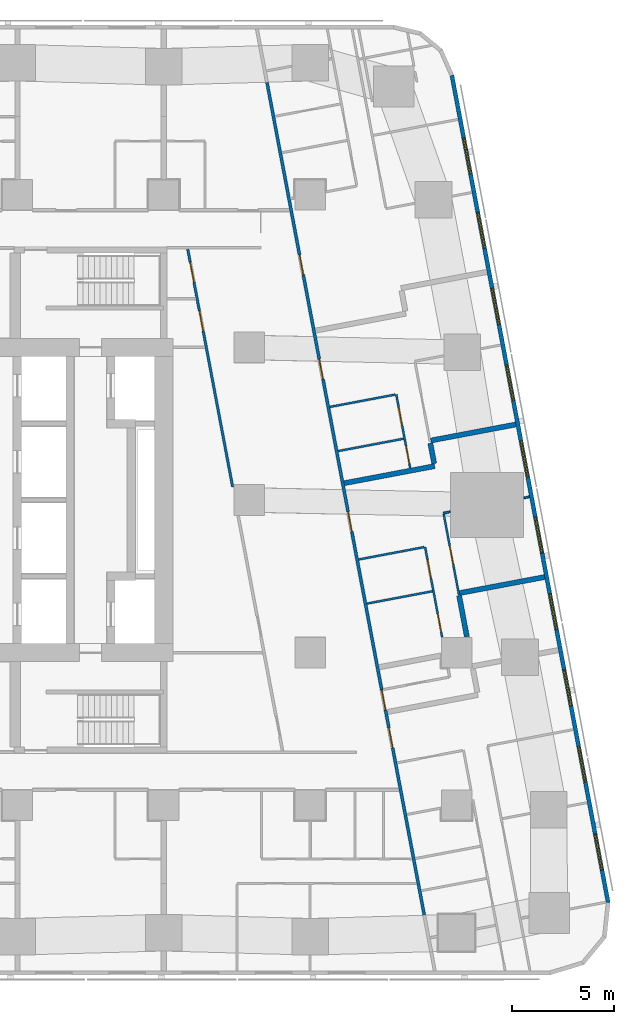
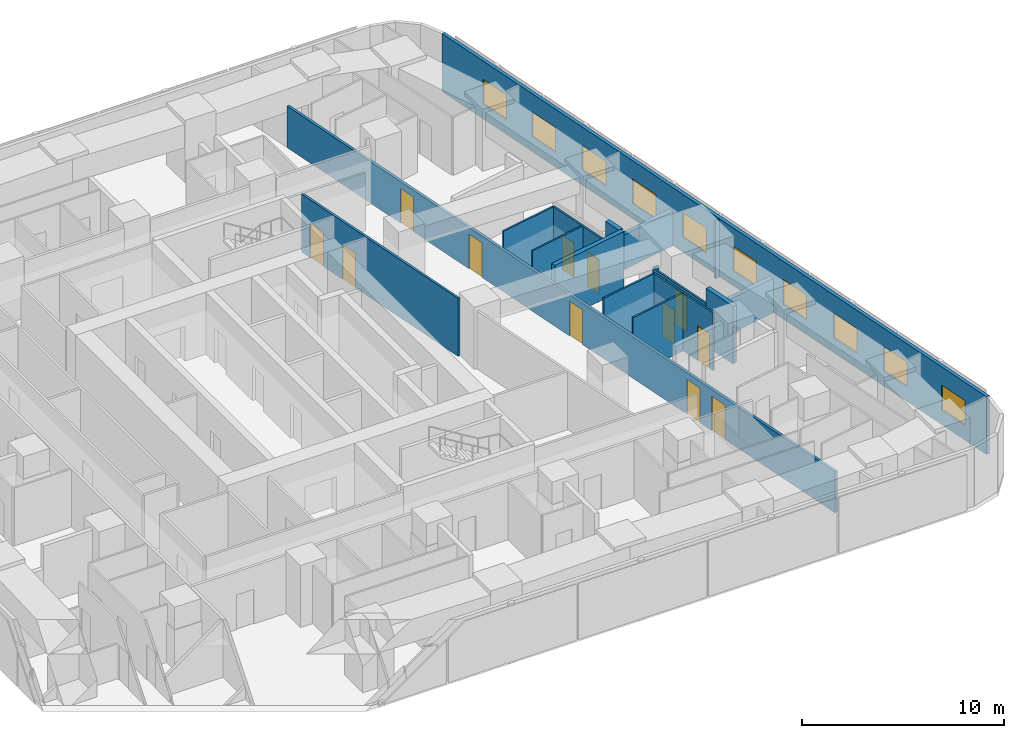
# One storey, part 7 of 15: 17 walls, 12 doors, 10 windows, 22 openings.
"""IFC4 building model written with IfcOpenShell, lengths in metres."""

from ifc_helpers import new_model, si_unit, direction, frame, frame_2d, origin, place, context, subcontext, project, spatial, rectangle, extrude, material, layer, layer_set, type_object, element, fill, save


model = new_model("IFC4")

# Units and contexts
model_context = context("Model", 3, precision=1e-05, world=origin(), true_north=direction((0.0, 1.0)))
body_context = subcontext(model_context, "Body", "Model", "MODEL_VIEW")
ifc_project = project(units=[si_unit("LENGTHUNIT", "METRE"), si_unit("AREAUNIT", "SQUARE_METRE"), si_unit("VOLUMEUNIT", "CUBIC_METRE"), si_unit("PLANEANGLEUNIT", "RADIAN"), si_unit("MASSUNIT", "GRAM", prefix="KILO")], contexts=[model_context])

# Site, building, storey
site_placement = place(None, origin())
site = spatial("IfcSite", under=ifc_project, at=site_placement, CompositionType="ELEMENT")
building_placement = place(site_placement, origin())
building = spatial("IfcBuilding", under=site, at=building_placement, Name="Sheger Commons Tower", CompositionType="ELEMENT")
storey_placement = place(building_placement, frame((0.0, 0.0, 177.050048828125)))
storey = spatial("IfcBuildingStorey", under=building, at=storey_placement, Name="L45", CompositionType="ELEMENT", Elevation=177.050048828125)

# Wall, openings, doors
ifc_material_1 = material(Name="Hollow concrete block masonry, skimmed both sides", Category="masonry")
ifc_layer_1 = layer(ifc_material_1, 0.14990234375)
ifc_layer_set_1 = layer_set([ifc_layer_1], Name="CORRIDOR WALL 150")
wall_type_1 = type_object("IfcWallType", Name="CORRIDOR WALL 150", PredefinedType="SOLIDWALL", material=ifc_layer_set_1)
wall_1_placement = place(storey_placement, frame((33.876953125, 43.029052734375, 0.0), z_axis=(0.0, 0.0, 1.0), x_axis=(0.185596841028, -0.98262597798, 0.0)))
wall_1 = element("IfcWall", 1, at=wall_1_placement, inside=storey, type_object=wall_type_1, Name="Corridor wall L45", PredefinedType="SOLIDWALL", context=body_context, shape_type="SweptSolid", body=[
    extrude(rectangle(XDim=41.659912109375, YDim=0.14990234375, at=frame_2d((20.830078125, 0.0))), origin(), (0.0, 0.0, 1.0), 2.5),
])
opening_1_placement = place(wall_1_placement, frame((8.6298828125, 0.0, 0.0)))
opening_1 = element("IfcOpeningElement", 2, at=opening_1_placement, cuts=wall_1, Name="Opening D1", PredefinedType="OPENING", context=body_context, shape_type="SweptSolid", body=[
    extrude(rectangle(XDim=1.0, YDim=2.10009765625, at=frame_2d((0.5, 1.050048828125))), frame((0.0, 0.0849609375, 0.0), z_axis=(0.0, -1.0, 0.0), x_axis=(1.0, 0.0, 0.0)), (0.0, 0.0, 1.0), 0.169921875),
])
opening_2_placement = place(wall_1_placement, frame((13.841064453125, 0.0, 0.0)))
opening_2 = element("IfcOpeningElement", 3, at=opening_2_placement, cuts=wall_1, Name="Opening D1", PredefinedType="OPENING", context=body_context, shape_type="SweptSolid", body=[
    extrude(rectangle(XDim=1.0, YDim=2.10009765625, at=frame_2d((0.5, 1.050048828125))), frame((0.0, 0.0849609375, 0.0), z_axis=(0.0, -1.0, 0.0), x_axis=(1.0, 0.0, 0.0)), (0.0, 0.0, 1.0), 0.169921875),
])
opening_3_placement = place(wall_1_placement, frame((21.47412109375, 0.0, 0.0)))
opening_3 = element("IfcOpeningElement", 4, at=opening_3_placement, cuts=wall_1, Name="Opening D1", PredefinedType="OPENING", context=body_context, shape_type="SweptSolid", body=[
    extrude(rectangle(XDim=1.0, YDim=2.10009765625, at=frame_2d((0.5, 1.050048828125))), frame((0.0, 0.0849609375, 0.0), z_axis=(0.0, -1.0, 0.0), x_axis=(1.0, 0.0, 0.0)), (0.0, 0.0, 1.0), 0.169921875),
])
opening_4_placement = place(wall_1_placement, frame((30.39990234375, 0.0, 0.0)))
opening_4 = element("IfcOpeningElement", 5, at=opening_4_placement, cuts=wall_1, Name="Opening D1", PredefinedType="OPENING", context=body_context, shape_type="SweptSolid", body=[
    extrude(rectangle(XDim=1.0, YDim=2.10009765625, at=frame_2d((0.5, 1.050048828125))), frame((0.0, 0.0849609375, 0.0), z_axis=(0.0, -1.0, 0.0), x_axis=(1.0, 0.0, 0.0)), (0.0, 0.0, 1.0), 0.169921875),
])
opening_5_placement = place(wall_1_placement, frame((32.2880859375, 0.0, 0.0)))
opening_5 = element("IfcOpeningElement", 6, at=opening_5_placement, cuts=wall_1, Name="Opening D1", PredefinedType="OPENING", context=body_context, shape_type="SweptSolid", body=[
    extrude(rectangle(XDim=1.0, YDim=2.10009765625, at=frame_2d((0.5, 1.050048828125))), frame((0.0, 0.0849609375, 0.0), z_axis=(0.0, -1.0, 0.0), x_axis=(1.0, 0.0, 0.0)), (0.0, 0.0, 1.0), 0.169921875),
])
ifc_material_2 = material(Name="Steel door set, fire rated", Category="steel")
door_type_1 = type_object("IfcDoorType", Name="FLAT ENTRANCE DOOR 1000x2100", OperationType="NOTDEFINED", PredefinedType="DOOR", material=ifc_material_2)
door_1_placement = place(opening_1_placement, origin())
door_1 = element("IfcDoor", 7, at=door_1_placement, inside=storey, type_object=door_type_1, Name="Flat entrance door", OperationType="SINGLE_SWING_RIGHT", OverallHeight=2.10009765625, OverallWidth=1.0, PredefinedType="DOOR", context=body_context, shape_type="SweptSolid", body=[
    extrude(rectangle(XDim=1.0, YDim=2.10009765625, at=frame_2d((0.5, 1.050048828125))), frame((0.0, 0.02490234375, 0.0), z_axis=(0.0, -1.0, 0.0), x_axis=(1.0, 0.0, 0.0)), (0.0, 0.0, 1.0), 0.050048828125),
])
fill(opening_1, door_1)
door_2_placement = place(opening_2_placement, origin())
door_2 = element("IfcDoor", 8, at=door_2_placement, inside=storey, type_object=door_type_1, Name="Flat entrance door", OperationType="SINGLE_SWING_LEFT", OverallHeight=2.10009765625, OverallWidth=1.0, PredefinedType="DOOR", context=body_context, shape_type="SweptSolid", body=[
    extrude(rectangle(XDim=1.0, YDim=2.10009765625, at=frame_2d((0.5, 1.050048828125))), frame((0.0, 0.02490234375, 0.0), z_axis=(0.0, -1.0, 0.0), x_axis=(1.0, 0.0, 0.0)), (0.0, 0.0, 1.0), 0.050048828125),
])
fill(opening_2, door_2)
door_3_placement = place(opening_3_placement, origin())
door_3 = element("IfcDoor", 9, at=door_3_placement, inside=storey, type_object=door_type_1, Name="Flat entrance door", OperationType="SINGLE_SWING_LEFT", OverallHeight=2.10009765625, OverallWidth=1.0, PredefinedType="DOOR", context=body_context, shape_type="SweptSolid", body=[
    extrude(rectangle(XDim=1.0, YDim=2.10009765625, at=frame_2d((0.5, 1.050048828125))), frame((0.0, 0.02490234375, 0.0), z_axis=(0.0, -1.0, 0.0), x_axis=(1.0, 0.0, 0.0)), (0.0, 0.0, 1.0), 0.050048828125),
])
fill(opening_3, door_3)
door_4_placement = place(opening_4_placement, origin())
door_4 = element("IfcDoor", 10, at=door_4_placement, inside=storey, type_object=door_type_1, Name="Flat entrance door", OperationType="SINGLE_SWING_LEFT", OverallHeight=2.10009765625, OverallWidth=1.0, PredefinedType="DOOR", context=body_context, shape_type="SweptSolid", body=[
    extrude(rectangle(XDim=1.0, YDim=2.10009765625, at=frame_2d((0.5, 1.050048828125))), frame((0.0, 0.02490234375, 0.0), z_axis=(0.0, -1.0, 0.0), x_axis=(1.0, 0.0, 0.0)), (0.0, 0.0, 1.0), 0.050048828125),
])
fill(opening_4, door_4)
door_5_placement = place(opening_5_placement, origin())
door_5 = element("IfcDoor", 11, at=door_5_placement, inside=storey, type_object=door_type_1, Name="Flat entrance door", OperationType="SINGLE_SWING_LEFT", OverallHeight=2.10009765625, OverallWidth=1.0, PredefinedType="DOOR", context=body_context, shape_type="SweptSolid", body=[
    extrude(rectangle(XDim=1.0, YDim=2.10009765625, at=frame_2d((0.5, 1.050048828125))), frame((0.0, 0.02490234375, 0.0), z_axis=(0.0, -1.0, 0.0), x_axis=(1.0, 0.0, 0.0)), (0.0, 0.0, 1.0), 0.050048828125),
])
fill(opening_5, door_5)

# Walls
ifc_material_3 = material(Name="Dense concrete block masonry, plastered both sides (separating wall between flats)", Category="masonry")
ifc_layer_2 = layer(ifc_material_3, 0.25)
ifc_layer_set_2 = layer_set([ifc_layer_2], Name="DEMISING WALL 250")
wall_type_2 = type_object("IfcWallType", Name="DEMISING WALL 250", PredefinedType="SOLIDWALL", material=ifc_layer_set_2)
wall_2_placement = place(storey_placement, frame((46.110107421875, 26.212890625, 0.0), z_axis=(0.0, 0.0, 1.0), x_axis=(-0.982623519589, -0.185609856287, 0.0)))
element("IfcWall", 12, at=wall_2_placement, inside=storey, type_object=wall_type_2, Name="Demising wall L45", PredefinedType="SOLIDWALL", context=body_context, shape_type="SweptSolid", body=[
    extrude(rectangle(XDim=4.249755859375, YDim=0.25, at=frame_2d((2.125, 0.0))), origin(), (0.0, 0.0, 1.0), 2.099853515625),
])
wall_3_placement = place(storey_placement, frame((42.12109375, 24.166015625, 0.0), z_axis=(0.0, 0.0, 1.0), x_axis=(-0.982612837616, -0.185666398014, 0.0)))
element("IfcWall", 13, at=wall_3_placement, inside=storey, type_object=wall_type_2, Name="Demising wall L45", PredefinedType="SOLIDWALL", context=body_context, shape_type="SweptSolid", body=[
    extrude(rectangle(XDim=4.524658203125, YDim=0.25, at=frame_2d((2.26220703125, 0.0))), origin(), (0.0, 0.0, 1.0), 3.5),
])
wall_4_placement = place(storey_placement, frame((41.907958984375, 25.2919921875, 0.0), z_axis=(0.0, 0.0, 1.0), x_axis=(0.18607888991, -0.982534806879, 0.0)))
element("IfcWall", 14, at=wall_4_placement, inside=storey, type_object=wall_type_2, Name="Demising wall L45", PredefinedType="SOLIDWALL", context=body_context, shape_type="SweptSolid", body=[
    extrude(rectangle(XDim=1.020751953125, YDim=0.25, at=frame_2d((0.51025390625, 0.0))), origin(), (0.0, 0.0, 1.0), 3.5),
])
wall_5_placement = place(storey_placement, frame((47.527099609375, 18.7119140625, 0.0), z_axis=(0.0, 0.0, 1.0), x_axis=(-0.982665405803, -0.185387972203, 0.0)))
element("IfcWall", 15, at=wall_5_placement, inside=storey, type_object=wall_type_2, Name="Demising wall L45", PredefinedType="SOLIDWALL", context=body_context, shape_type="SweptSolid", body=[
    extrude(rectangle(XDim=4.249755859375, YDim=0.25, at=frame_2d((2.125, 0.0))), origin(), (0.0, 0.0, 1.0), 2.099853515625),
])
wall_6_placement = place(storey_placement, frame((43.324951171875, 17.7919921875, 0.0), z_axis=(0.0, 0.0, 1.0), x_axis=(0.185565963553, -0.982631809566, 0.0)))
element("IfcWall", 16, at=wall_6_placement, inside=storey, type_object=wall_type_2, Name="Demising wall L45", PredefinedType="SOLIDWALL", context=body_context, shape_type="SweptSolid", body=[
    extrude(rectangle(XDim=2.0537109375, YDim=0.25, at=frame_2d((1.02685546875, 0.0))), origin(), (0.0, 0.0, 1.0), 3.5),
])

# Wall, openings, windows
ifc_material_4 = material(Name="Rendered concrete block masonry, dark grey", Category="masonry")
ifc_layer_3 = layer(ifc_material_4, 0.199951171875)
ifc_layer_set_3 = layer_set([ifc_layer_3], Name="FACADE WALL 200")
wall_type_3 = type_object("IfcWallType", Name="FACADE WALL 200", PredefinedType="SOLIDWALL", material=ifc_layer_set_3)
wall_7_placement = place(storey_placement, frame((50.653076171875, 2.702880859375, 0.0), z_axis=(0.0, 0.0, 1.0), x_axis=(-0.185612026696, 0.982623109613, 0.0)))
wall_7 = element("IfcWall", 17, at=wall_7_placement, inside=storey, type_object=wall_type_3, Name="Facade wall L45", PredefinedType="SOLIDWALL", context=body_context, shape_type="SweptSolid", body=[
    extrude(rectangle(XDim=41.393310546875, YDim=0.199951171875, at=frame_2d((20.69677734375, 0.0))), origin(), (0.0, 0.0, 1.0), 3.5),
])
opening_6_placement = place(wall_7_placement, frame((1.633056640625, 0.0, 0.89990234375)))
opening_6 = element("IfcOpeningElement", 18, at=opening_6_placement, cuts=wall_7, Name="Opening W2", PredefinedType="OPENING", context=body_context, shape_type="SweptSolid", body=[
    extrude(rectangle(XDim=1.800048828125, YDim=1.5, at=frame_2d((0.89990234375, 0.75))), frame((0.0, 0.10986328125, 0.0), z_axis=(0.0, -1.0, 0.0), x_axis=(1.0, 0.0, 0.0)), (0.0, 0.0, 1.0), 0.219970703125),
])
opening_7_placement = place(wall_7_placement, frame((6.031982421875, 0.0, 0.89990234375)))
opening_7 = element("IfcOpeningElement", 19, at=opening_7_placement, cuts=wall_7, Name="Opening W2", PredefinedType="OPENING", context=body_context, shape_type="SweptSolid", body=[
    extrude(rectangle(XDim=1.800048828125, YDim=1.5, at=frame_2d((0.89990234375, 0.75))), frame((0.0, 0.10986328125, 0.0), z_axis=(0.0, -1.0, 0.0), x_axis=(1.0, 0.0, 0.0)), (0.0, 0.0, 1.0), 0.219970703125),
])
opening_8_placement = place(wall_7_placement, frame((9.847900390625, 0.0, 0.89990234375)))
opening_8 = element("IfcOpeningElement", 20, at=opening_8_placement, cuts=wall_7, Name="Opening W2", PredefinedType="OPENING", context=body_context, shape_type="SweptSolid", body=[
    extrude(rectangle(XDim=1.800048828125, YDim=1.5, at=frame_2d((0.89990234375, 0.75))), frame((0.0, 0.10986328125, 0.0), z_axis=(0.0, -1.0, 0.0), x_axis=(1.0, 0.0, 0.0)), (0.0, 0.0, 1.0), 0.219970703125),
])
opening_9_placement = place(wall_7_placement, frame((13.6640625, 0.0, 0.89990234375)))
opening_9 = element("IfcOpeningElement", 21, at=opening_9_placement, cuts=wall_7, Name="Opening W2", PredefinedType="OPENING", context=body_context, shape_type="SweptSolid", body=[
    extrude(rectangle(XDim=1.800048828125, YDim=1.5, at=frame_2d((0.89990234375, 0.75))), frame((0.0, 0.10986328125, 0.0), z_axis=(0.0, -1.0, 0.0), x_axis=(1.0, 0.0, 0.0)), (0.0, 0.0, 1.0), 0.219970703125),
])
opening_10_placement = place(wall_7_placement, frame((17.48095703125, 0.0, 0.89990234375)))
opening_10 = element("IfcOpeningElement", 22, at=opening_10_placement, cuts=wall_7, Name="Opening W2", PredefinedType="OPENING", context=body_context, shape_type="SweptSolid", body=[
    extrude(rectangle(XDim=1.800048828125, YDim=1.5, at=frame_2d((0.89990234375, 0.75))), frame((0.0, 0.10986328125, 0.0), z_axis=(0.0, -1.0, 0.0), x_axis=(1.0, 0.0, 0.0)), (0.0, 0.0, 1.0), 0.219970703125),
])
opening_11_placement = place(wall_7_placement, frame((21.297119140625, 0.0, 0.89990234375)))
opening_11 = element("IfcOpeningElement", 23, at=opening_11_placement, cuts=wall_7, Name="Opening W2", PredefinedType="OPENING", context=body_context, shape_type="SweptSolid", body=[
    extrude(rectangle(XDim=1.800048828125, YDim=1.5, at=frame_2d((0.89990234375, 0.75))), frame((0.0, 0.10986328125, 0.0), z_axis=(0.0, -1.0, 0.0), x_axis=(1.0, 0.0, 0.0)), (0.0, 0.0, 1.0), 0.219970703125),
])
opening_12_placement = place(wall_7_placement, frame((25.113037109375, 0.0, 0.89990234375)))
opening_12 = element("IfcOpeningElement", 24, at=opening_12_placement, cuts=wall_7, Name="Opening W2", PredefinedType="OPENING", context=body_context, shape_type="SweptSolid", body=[
    extrude(rectangle(XDim=1.800048828125, YDim=1.5, at=frame_2d((0.89990234375, 0.75))), frame((0.0, 0.10986328125, 0.0), z_axis=(0.0, -1.0, 0.0), x_axis=(1.0, 0.0, 0.0)), (0.0, 0.0, 1.0), 0.219970703125),
])
opening_13_placement = place(wall_7_placement, frame((28.929931640625, 0.0, 0.89990234375)))
opening_13 = element("IfcOpeningElement", 25, at=opening_13_placement, cuts=wall_7, Name="Opening W2", PredefinedType="OPENING", context=body_context, shape_type="SweptSolid", body=[
    extrude(rectangle(XDim=1.800048828125, YDim=1.5, at=frame_2d((0.89990234375, 0.75))), frame((0.0, 0.10986328125, 0.0), z_axis=(0.0, -1.0, 0.0), x_axis=(1.0, 0.0, 0.0)), (0.0, 0.0, 1.0), 0.219970703125),
])
opening_14_placement = place(wall_7_placement, frame((32.74609375, 0.0, 0.89990234375)))
opening_14 = element("IfcOpeningElement", 26, at=opening_14_placement, cuts=wall_7, Name="Opening W2", PredefinedType="OPENING", context=body_context, shape_type="SweptSolid", body=[
    extrude(rectangle(XDim=1.800048828125, YDim=1.5, at=frame_2d((0.89990234375, 0.75))), frame((0.0, 0.10986328125, 0.0), z_axis=(0.0, -1.0, 0.0), x_axis=(1.0, 0.0, 0.0)), (0.0, 0.0, 1.0), 0.219970703125),
])
opening_15_placement = place(wall_7_placement, frame((36.48095703125, 0.0, 0.89990234375)))
opening_15 = element("IfcOpeningElement", 27, at=opening_15_placement, cuts=wall_7, Name="Opening W2", PredefinedType="OPENING", context=body_context, shape_type="SweptSolid", body=[
    extrude(rectangle(XDim=1.800048828125, YDim=1.5, at=frame_2d((0.89990234375, 0.75))), frame((0.0, 0.10986328125, 0.0), z_axis=(0.0, -1.0, 0.0), x_axis=(1.0, 0.0, 0.0)), (0.0, 0.0, 1.0), 0.219970703125),
])
ifc_material_5 = material(Name="Black aluminium frame, dark tinted double glazing", Category="aluminium")
window_type = type_object("IfcWindowType", Name="WINDOW W2 1800x1500", PartitioningType="SINGLE_PANEL", PredefinedType="WINDOW", material=ifc_material_5)
window_1_placement = place(opening_6_placement, origin())
window_1 = element("IfcWindow", 28, at=window_1_placement, inside=storey, type_object=window_type, Name="Window W2 1800X1500", OverallHeight=1.5, OverallWidth=1.800048828125, PartitioningType="SINGLE_PANEL", PredefinedType="WINDOW", context=body_context, shape_type="SweptSolid", body=[
    extrude(rectangle(XDim=1.800048828125, YDim=1.5, at=frame_2d((0.89990234375, 0.75))), frame((0.0, 0.030029296875, 0.0), z_axis=(0.0, -1.0, 0.0), x_axis=(1.0, 0.0, 0.0)), (0.0, 0.0, 1.0), 0.06005859375),
])
fill(opening_6, window_1)
window_2_placement = place(opening_7_placement, origin())
window_2 = element("IfcWindow", 29, at=window_2_placement, inside=storey, type_object=window_type, Name="Window W2 1800X1500", OverallHeight=1.5, OverallWidth=1.800048828125, PartitioningType="SINGLE_PANEL", PredefinedType="WINDOW", context=body_context, shape_type="SweptSolid", body=[
    extrude(rectangle(XDim=1.800048828125, YDim=1.5, at=frame_2d((0.89990234375, 0.75))), frame((0.0, 0.030029296875, 0.0), z_axis=(0.0, -1.0, 0.0), x_axis=(1.0, 0.0, 0.0)), (0.0, 0.0, 1.0), 0.06005859375),
])
fill(opening_7, window_2)
window_3_placement = place(opening_8_placement, origin())
window_3 = element("IfcWindow", 30, at=window_3_placement, inside=storey, type_object=window_type, Name="Window W2 1800X1500", OverallHeight=1.5, OverallWidth=1.800048828125, PartitioningType="SINGLE_PANEL", PredefinedType="WINDOW", context=body_context, shape_type="SweptSolid", body=[
    extrude(rectangle(XDim=1.800048828125, YDim=1.5, at=frame_2d((0.89990234375, 0.75))), frame((0.0, 0.030029296875, 0.0), z_axis=(0.0, -1.0, 0.0), x_axis=(1.0, 0.0, 0.0)), (0.0, 0.0, 1.0), 0.06005859375),
])
fill(opening_8, window_3)
window_4_placement = place(opening_9_placement, origin())
window_4 = element("IfcWindow", 31, at=window_4_placement, inside=storey, type_object=window_type, Name="Window W2 1800X1500", OverallHeight=1.5, OverallWidth=1.800048828125, PartitioningType="SINGLE_PANEL", PredefinedType="WINDOW", context=body_context, shape_type="SweptSolid", body=[
    extrude(rectangle(XDim=1.800048828125, YDim=1.5, at=frame_2d((0.89990234375, 0.75))), frame((0.0, 0.030029296875, 0.0), z_axis=(0.0, -1.0, 0.0), x_axis=(1.0, 0.0, 0.0)), (0.0, 0.0, 1.0), 0.06005859375),
])
fill(opening_9, window_4)
window_5_placement = place(opening_10_placement, origin())
window_5 = element("IfcWindow", 32, at=window_5_placement, inside=storey, type_object=window_type, Name="Window W2 1800X1500", OverallHeight=1.5, OverallWidth=1.800048828125, PartitioningType="SINGLE_PANEL", PredefinedType="WINDOW", context=body_context, shape_type="SweptSolid", body=[
    extrude(rectangle(XDim=1.800048828125, YDim=1.5, at=frame_2d((0.89990234375, 0.75))), frame((0.0, 0.030029296875, 0.0), z_axis=(0.0, -1.0, 0.0), x_axis=(1.0, 0.0, 0.0)), (0.0, 0.0, 1.0), 0.06005859375),
])
fill(opening_10, window_5)
window_6_placement = place(opening_11_placement, origin())
window_6 = element("IfcWindow", 33, at=window_6_placement, inside=storey, type_object=window_type, Name="Window W2 1800X1500", OverallHeight=1.5, OverallWidth=1.800048828125, PartitioningType="SINGLE_PANEL", PredefinedType="WINDOW", context=body_context, shape_type="SweptSolid", body=[
    extrude(rectangle(XDim=1.800048828125, YDim=1.5, at=frame_2d((0.89990234375, 0.75))), frame((0.0, 0.030029296875, 0.0), z_axis=(0.0, -1.0, 0.0), x_axis=(1.0, 0.0, 0.0)), (0.0, 0.0, 1.0), 0.06005859375),
])
fill(opening_11, window_6)
window_7_placement = place(opening_12_placement, origin())
window_7 = element("IfcWindow", 34, at=window_7_placement, inside=storey, type_object=window_type, Name="Window W2 1800X1500", OverallHeight=1.5, OverallWidth=1.800048828125, PartitioningType="SINGLE_PANEL", PredefinedType="WINDOW", context=body_context, shape_type="SweptSolid", body=[
    extrude(rectangle(XDim=1.800048828125, YDim=1.5, at=frame_2d((0.89990234375, 0.75))), frame((0.0, 0.030029296875, 0.0), z_axis=(0.0, -1.0, 0.0), x_axis=(1.0, 0.0, 0.0)), (0.0, 0.0, 1.0), 0.06005859375),
])
fill(opening_12, window_7)
window_8_placement = place(opening_13_placement, origin())
window_8 = element("IfcWindow", 35, at=window_8_placement, inside=storey, type_object=window_type, Name="Window W2 1800X1500", OverallHeight=1.5, OverallWidth=1.800048828125, PartitioningType="SINGLE_PANEL", PredefinedType="WINDOW", context=body_context, shape_type="SweptSolid", body=[
    extrude(rectangle(XDim=1.800048828125, YDim=1.5, at=frame_2d((0.89990234375, 0.75))), frame((0.0, 0.030029296875, 0.0), z_axis=(0.0, -1.0, 0.0), x_axis=(1.0, 0.0, 0.0)), (0.0, 0.0, 1.0), 0.06005859375),
])
fill(opening_13, window_8)
window_9_placement = place(opening_14_placement, origin())
window_9 = element("IfcWindow", 36, at=window_9_placement, inside=storey, type_object=window_type, Name="Window W2 1800X1500", OverallHeight=1.5, OverallWidth=1.800048828125, PartitioningType="SINGLE_PANEL", PredefinedType="WINDOW", context=body_context, shape_type="SweptSolid", body=[
    extrude(rectangle(XDim=1.800048828125, YDim=1.5, at=frame_2d((0.89990234375, 0.75))), frame((0.0, 0.030029296875, 0.0), z_axis=(0.0, -1.0, 0.0), x_axis=(1.0, 0.0, 0.0)), (0.0, 0.0, 1.0), 0.06005859375),
])
fill(opening_14, window_9)
window_10_placement = place(opening_15_placement, origin())
window_10 = element("IfcWindow", 37, at=window_10_placement, inside=storey, type_object=window_type, Name="Window W2 1800X1500", OverallHeight=1.5, OverallWidth=1.800048828125, PartitioningType="SINGLE_PANEL", PredefinedType="WINDOW", context=body_context, shape_type="SweptSolid", body=[
    extrude(rectangle(XDim=1.800048828125, YDim=1.5, at=frame_2d((0.89990234375, 0.75))), frame((0.0, 0.030029296875, 0.0), z_axis=(0.0, -1.0, 0.0), x_axis=(1.0, 0.0, 0.0)), (0.0, 0.0, 1.0), 0.06005859375),
])
fill(opening_15, window_10)

# Wall, openings, doors
ifc_material_6 = material(Name="Gypsum board on steel studs", Category="steel")
ifc_layer_4 = layer(ifc_material_6, 0.10009765625)
ifc_layer_set_4 = layer_set([ifc_layer_4], Name="PARTITION 100")
wall_type_4 = type_object("IfcWallType", Name="PARTITION 100", PredefinedType="PARTITIONING", material=ifc_layer_set_4)
wall_8_placement = place(storey_placement, frame((40.23291015625, 27.693115234375, 0.0), z_axis=(0.0, 0.0, 1.0), x_axis=(0.185632361754, -0.982619268216, 0.0)))
wall_8 = element("IfcWall", 38, at=wall_8_placement, inside=storey, type_object=wall_type_4, Name="Partition L45", PredefinedType="PARTITIONING", context=body_context, shape_type="SweptSolid", body=[
    extrude(rectangle(XDim=3.68505859375, YDim=0.10009765625, at=frame_2d((1.842529296875, 0.0))), origin(), (0.0, 0.0, 1.0), 3.5),
])
opening_16_placement = place(wall_8_placement, frame((0.655029296875, 0.0, 0.0)))
opening_16 = element("IfcOpeningElement", 39, at=opening_16_placement, cuts=wall_8, Name="Opening D2", PredefinedType="OPENING", context=body_context, shape_type="SweptSolid", body=[
    extrude(rectangle(XDim=0.89990234375, YDim=2.10009765625, at=frame_2d((0.449951171875, 1.050048828125))), frame((0.0, 0.06005859375, 0.0), z_axis=(0.0, -1.0, 0.0), x_axis=(1.0, 0.0, 0.0)), (0.0, 0.0, 1.0), 0.1201171875),
])
opening_17_placement = place(wall_8_placement, frame((2.56298828125, 0.0, 0.0)))
opening_17 = element("IfcOpeningElement", 40, at=opening_17_placement, cuts=wall_8, Name="Opening D2", PredefinedType="OPENING", context=body_context, shape_type="SweptSolid", body=[
    extrude(rectangle(XDim=0.89990234375, YDim=2.10009765625, at=frame_2d((0.449951171875, 1.050048828125))), frame((0.0, 0.06005859375, 0.0), z_axis=(0.0, -1.0, 0.0), x_axis=(1.0, 0.0, 0.0)), (0.0, 0.0, 1.0), 0.1201171875),
])
ifc_material_7 = material(Name="Timber door set", Category="wood")
door_type_2 = type_object("IfcDoorType", Name="INTERNAL DOOR 900x2100", OperationType="NOTDEFINED", PredefinedType="DOOR", material=ifc_material_7)
door_6_placement = place(opening_16_placement, origin())
door_6 = element("IfcDoor", 41, at=door_6_placement, inside=storey, type_object=door_type_2, Name="Bathroom door", OperationType="SINGLE_SWING_RIGHT", OverallHeight=2.10009765625, OverallWidth=0.89990234375, PredefinedType="DOOR", context=body_context, shape_type="SweptSolid", body=[
    extrude(rectangle(XDim=0.89990234375, YDim=2.10009765625, at=frame_2d((0.449951171875, 1.050048828125))), frame((0.0, 0.02490234375, 0.0), z_axis=(0.0, -1.0, 0.0), x_axis=(1.0, 0.0, 0.0)), (0.0, 0.0, 1.0), 0.050048828125),
])
fill(opening_16, door_6)
door_7_placement = place(opening_17_placement, origin())
door_7 = element("IfcDoor", 42, at=door_7_placement, inside=storey, type_object=door_type_2, Name="Store door", OperationType="SINGLE_SWING_LEFT", OverallHeight=2.10009765625, OverallWidth=0.89990234375, PredefinedType="DOOR", context=body_context, shape_type="SweptSolid", body=[
    extrude(rectangle(XDim=0.89990234375, YDim=2.10009765625, at=frame_2d((0.449951171875, 1.050048828125))), frame((0.0, 0.02490234375, 0.0), z_axis=(0.0, -1.0, 0.0), x_axis=(1.0, 0.0, 0.0)), (0.0, 0.0, 1.0), 0.050048828125),
])
fill(opening_17, door_7)

# Walls
for number, where, z_axis, x_axis, name in (
    (43, (40.18408203125, 27.68408203125, 0.0), (0.0, 0.0, 1.0), (-0.982596739811, -0.18575157311, 0.0), "Partition L45"),
    (44, (40.593994140625, 25.511962890625, 0.0), (0.0, 0.0, 1.0), (-0.982610347627, -0.185679575441, 0.0), "Partition L45"),
):
    element("IfcWall", number, at=place(storey_placement, frame(where, z_axis=z_axis, x_axis=x_axis)), inside=storey, type_object=wall_type_4, Name=name, PredefinedType="PARTITIONING", context=body_context, shape_type="SweptSolid", body=[
        extrude(rectangle(XDim=3.27392578125, YDim=0.10009765625, at=frame_2d((1.636962890625, 0.0))), origin(), (0.0, 0.0, 1.0), 3.5),
    ])

# Wall, opening, door
wall_9_placement = place(storey_placement, frame((42.56494140625, 21.80908203125, 0.0), z_axis=(0.0, 0.0, 1.0), x_axis=(0.185910488551, -0.982566684885, 0.0)))
wall_9 = element("IfcWall", 45, at=wall_9_placement, inside=storey, type_object=wall_type_4, Name="Partition L45", PredefinedType="PARTITIONING", context=body_context, shape_type="SweptSolid", body=[
    extrude(rectangle(XDim=4.061767578125, YDim=0.10009765625, at=frame_2d((2.03076171875, 0.0))), origin(), (0.0, 0.0, 1.0), 2.5),
])
opening_18_placement = place(wall_9_placement, frame((1.617919921875, 0.0, 0.0)))
opening_18 = element("IfcOpeningElement", 46, at=opening_18_placement, cuts=wall_9, Name="Opening D2", PredefinedType="OPENING", context=body_context, shape_type="SweptSolid", body=[
    extrude(rectangle(XDim=0.89990234375, YDim=2.10009765625, at=frame_2d((0.449951171875, 1.050048828125))), frame((0.0, 0.06005859375, 0.0), z_axis=(0.0, -1.0, 0.0), x_axis=(1.0, 0.0, 0.0)), (0.0, 0.0, 1.0), 0.1201171875),
])
door_8_placement = place(opening_18_placement, origin())
door_8 = element("IfcDoor", 47, at=door_8_placement, inside=storey, type_object=door_type_2, Name="Main bedroom door", OperationType="SINGLE_SWING_RIGHT", OverallHeight=2.10009765625, OverallWidth=0.89990234375, PredefinedType="DOOR", context=body_context, shape_type="SweptSolid", body=[
    extrude(rectangle(XDim=0.89990234375, YDim=2.10009765625, at=frame_2d((0.449951171875, 1.050048828125))), frame((0.0, 0.02490234375, 0.0), z_axis=(0.0, -1.0, 0.0), x_axis=(1.0, 0.0, 0.0)), (0.0, 0.0, 1.0), 0.050048828125),
])
fill(opening_18, door_8)

# Wall, openings, doors
wall_10_placement = place(storey_placement, frame((41.64990234375, 20.193115234375, 0.0), z_axis=(0.0, 0.0, 1.0), x_axis=(0.185692658583, -0.982607875273, 0.0)))
wall_10 = element("IfcWall", 48, at=wall_10_placement, inside=storey, type_object=wall_type_4, Name="Partition L45", PredefinedType="PARTITIONING", context=body_context, shape_type="SweptSolid", body=[
    extrude(rectangle(XDim=4.513671875, YDim=0.10009765625, at=frame_2d((2.2568359375, 0.0))), origin(), (0.0, 0.0, 1.0), 3.5),
])
opening_19_placement = place(wall_10_placement, frame((0.655029296875, 0.0, 0.0)))
opening_19 = element("IfcOpeningElement", 49, at=opening_19_placement, cuts=wall_10, Name="Opening D2", PredefinedType="OPENING", context=body_context, shape_type="SweptSolid", body=[
    extrude(rectangle(XDim=0.89990234375, YDim=2.10009765625, at=frame_2d((0.449951171875, 1.050048828125))), frame((0.0, 0.06005859375, 0.0), z_axis=(0.0, -1.0, 0.0), x_axis=(1.0, 0.0, 0.0)), (0.0, 0.0, 1.0), 0.1201171875),
])
opening_20_placement = place(wall_10_placement, frame((3.35009765625, 0.0, 0.0)))
opening_20 = element("IfcOpeningElement", 50, at=opening_20_placement, cuts=wall_10, Name="Opening D2", PredefinedType="OPENING", context=body_context, shape_type="SweptSolid", body=[
    extrude(rectangle(XDim=0.89990234375, YDim=2.10009765625, at=frame_2d((0.449951171875, 1.050048828125))), frame((0.0, 0.06005859375, 0.0), z_axis=(0.0, -1.0, 0.0), x_axis=(1.0, 0.0, 0.0)), (0.0, 0.0, 1.0), 0.1201171875),
])
door_9_placement = place(opening_19_placement, origin())
door_9 = element("IfcDoor", 51, at=door_9_placement, inside=storey, type_object=door_type_2, Name="Bathroom door", OperationType="SINGLE_SWING_RIGHT", OverallHeight=2.10009765625, OverallWidth=0.89990234375, PredefinedType="DOOR", context=body_context, shape_type="SweptSolid", body=[
    extrude(rectangle(XDim=0.89990234375, YDim=2.10009765625, at=frame_2d((0.449951171875, 1.050048828125))), frame((0.0, 0.02490234375, 0.0), z_axis=(0.0, -1.0, 0.0), x_axis=(1.0, 0.0, 0.0)), (0.0, 0.0, 1.0), 0.050048828125),
])
fill(opening_19, door_9)
door_10_placement = place(opening_20_placement, origin())
door_10 = element("IfcDoor", 52, at=door_10_placement, inside=storey, type_object=door_type_2, Name="Store door", OperationType="SINGLE_SWING_LEFT", OverallHeight=2.10009765625, OverallWidth=0.89990234375, PredefinedType="DOOR", context=body_context, shape_type="SweptSolid", body=[
    extrude(rectangle(XDim=0.89990234375, YDim=2.10009765625, at=frame_2d((0.449951171875, 1.050048828125))), frame((0.0, 0.02490234375, 0.0), z_axis=(0.0, -1.0, 0.0), x_axis=(1.0, 0.0, 0.0)), (0.0, 0.0, 1.0), 0.050048828125),
])
fill(opening_20, door_10)

# Walls
wall_11_placement = place(storey_placement, frame((46.781982421875, 22.656982421875, 0.0), z_axis=(0.0, 0.0, 1.0), x_axis=(-0.982574553168, -0.185868898601, 0.0)))
element("IfcWall", 53, at=wall_11_placement, inside=storey, type_object=wall_type_4, Name="Partition L45", PredefinedType="PARTITIONING", context=body_context, shape_type="SweptSolid", body=[
    extrude(rectangle(XDim=0.27978515625, YDim=0.10009765625, at=frame_2d((0.139892578125, 0.0))), origin(), (0.0, 0.0, 1.0), 3.5),
])
wall_12_placement = place(storey_placement, frame((42.886962890625, 21.9208984375, 0.0), z_axis=(0.0, 0.0, 1.0), x_axis=(-0.982274918032, -0.187445953293, 0.0)))
element("IfcWall", 54, at=wall_12_placement, inside=storey, type_object=wall_type_4, Name="Partition L45", PredefinedType="PARTITIONING", context=body_context, shape_type="SweptSolid", body=[
    extrude(rectangle(XDim=0.3359375, YDim=0.10009765625, at=frame_2d((0.16796875, 0.0))), origin(), (0.0, 0.0, 1.0), 2.5),
])
wall_13_placement = place(storey_placement, frame((41.60107421875, 20.18408203125, 0.0), z_axis=(0.0, 0.0, 1.0), x_axis=(-0.982607026909, -0.185697147715, 0.0)))
element("IfcWall", 55, at=wall_13_placement, inside=storey, type_object=wall_type_4, Name="Partition L45", PredefinedType="PARTITIONING", context=body_context, shape_type="SweptSolid", body=[
    extrude(rectangle(XDim=3.27490234375, YDim=0.10009765625, at=frame_2d((1.637451171875, 0.0))), origin(), (0.0, 0.0, 1.0), 3.5),
])
wall_14_placement = place(storey_placement, frame((42.010986328125, 18.011962890625, 0.0), z_axis=(0.0, 0.0, 1.0), x_axis=(-0.982674977865, -0.185337227447, 0.0)))
element("IfcWall", 56, at=wall_14_placement, inside=storey, type_object=wall_type_4, Name="Partition L45", PredefinedType="PARTITIONING", context=body_context, shape_type="SweptSolid", body=[
    extrude(rectangle(XDim=3.274658203125, YDim=0.10009765625, at=frame_2d((1.63720703125, 0.0))), origin(), (0.0, 0.0, 1.0), 3.5),
])

# Wall, openings, doors
ifc_material_8 = material(Name="Gypsum board on steel studs, two layers each side, fire rated", Category="steel")
ifc_layer_5 = layer(ifc_material_8, 0.125)
ifc_layer_set_5 = layer_set([ifc_layer_5], Name="SERVICE WALL 125")
wall_type_5 = type_object("IfcWallType", Name="SERVICE WALL 125", PredefinedType="PARTITIONING", material=ifc_layer_set_5)
wall_15_placement = place(storey_placement, frame((32.18798828125, 23.14111328125, 0.0), z_axis=(0.0, 0.0, 1.0), x_axis=(-0.185598625075, 0.98262564101, 0.0)))
wall_15 = element("IfcWall", 57, at=wall_15_placement, inside=storey, type_object=wall_type_5, Name="Service room wall L45", PredefinedType="PARTITIONING", context=body_context, shape_type="SweptSolid", body=[
    extrude(rectangle(XDim=11.891357421875, YDim=0.125, at=frame_2d((5.94580078125, 0.0))), origin(), (0.0, 0.0, 1.0), 3.5),
])
opening_21_placement = place(wall_15_placement, frame((7.802978515625, 0.0, 0.0)))
opening_21 = element("IfcOpeningElement", 58, at=opening_21_placement, cuts=wall_15, Name="Opening D4", PredefinedType="OPENING", context=body_context, shape_type="SweptSolid", body=[
    extrude(rectangle(XDim=1.0, YDim=2.10009765625, at=frame_2d((0.5, 1.050048828125))), frame((0.0, 0.072509765625, 0.0), z_axis=(0.0, -1.0, 0.0), x_axis=(1.0, 0.0, 0.0)), (0.0, 0.0, 1.0), 0.14501953125),
])
opening_22_placement = place(wall_15_placement, frame((10.24609375, 0.0, 0.0)))
opening_22 = element("IfcOpeningElement", 59, at=opening_22_placement, cuts=wall_15, Name="Opening D4", PredefinedType="OPENING", context=body_context, shape_type="SweptSolid", body=[
    extrude(rectangle(XDim=1.0, YDim=2.10009765625, at=frame_2d((0.5, 1.050048828125))), frame((0.0, 0.072509765625, 0.0), z_axis=(0.0, -1.0, 0.0), x_axis=(1.0, 0.0, 0.0)), (0.0, 0.0, 1.0), 0.14501953125),
])
ifc_material_9 = material(Name="Steel door set, fire rated", Category="steel")
door_type_3 = type_object("IfcDoorType", Name="SERVICE DOOR 1000x2100", OperationType="NOTDEFINED", PredefinedType="DOOR", material=ifc_material_9)
door_11_placement = place(opening_21_placement, origin())
door_11 = element("IfcDoor", 60, at=door_11_placement, inside=storey, type_object=door_type_3, Name="Linen store door", OperationType="SINGLE_SWING_RIGHT", OverallHeight=2.10009765625, OverallWidth=1.0, PredefinedType="DOOR", context=body_context, shape_type="SweptSolid", body=[
    extrude(rectangle(XDim=1.0, YDim=2.10009765625, at=frame_2d((0.5, 1.050048828125))), frame((0.0, 0.02490234375, 0.0), z_axis=(0.0, -1.0, 0.0), x_axis=(1.0, 0.0, 0.0)), (0.0, 0.0, 1.0), 0.050048828125),
])
fill(opening_21, door_11)
door_12_placement = place(opening_22_placement, origin())
door_12 = element("IfcDoor", 61, at=door_12_placement, inside=storey, type_object=door_type_3, Name="Cleaner's store door", OperationType="SINGLE_SWING_RIGHT", OverallHeight=2.10009765625, OverallWidth=1.0, PredefinedType="DOOR", context=body_context, shape_type="SweptSolid", body=[
    extrude(rectangle(XDim=1.0, YDim=2.10009765625, at=frame_2d((0.5, 1.050048828125))), frame((0.0, 0.02490234375, 0.0), z_axis=(0.0, -1.0, 0.0), x_axis=(1.0, 0.0, 0.0)), (0.0, 0.0, 1.0), 0.050048828125),
])
fill(opening_22, door_12)

save(model, "model.ifc")
